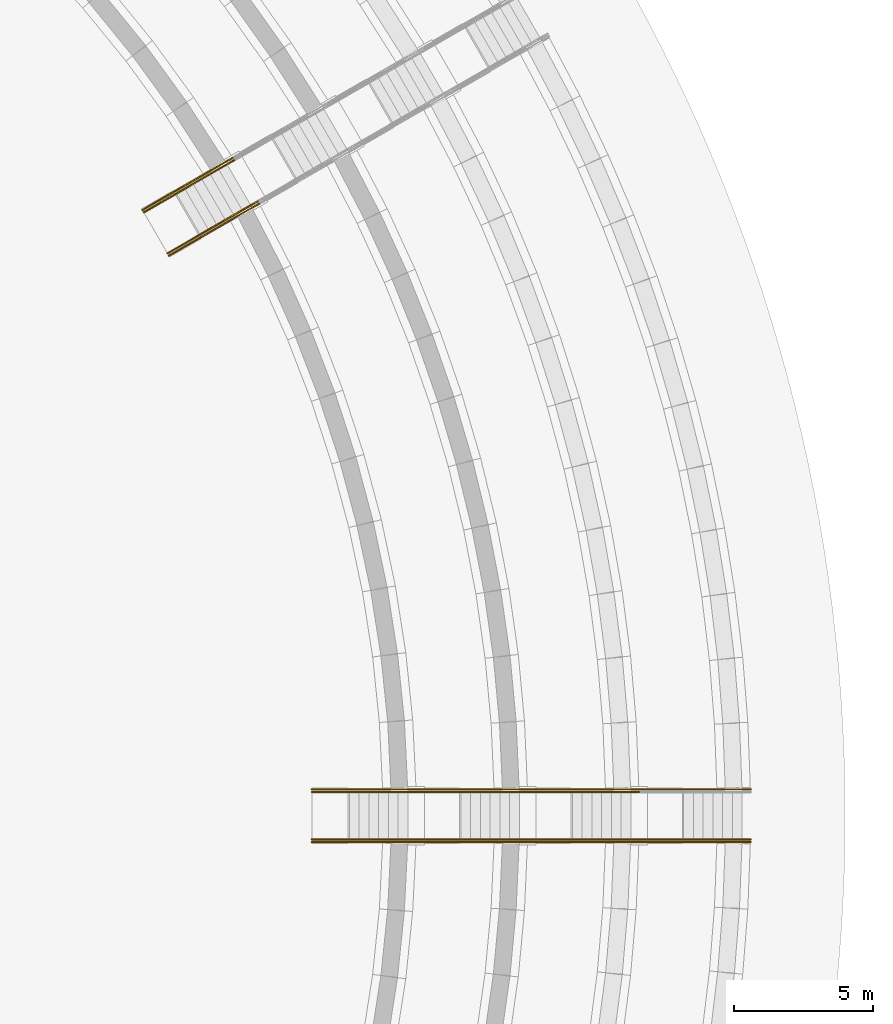
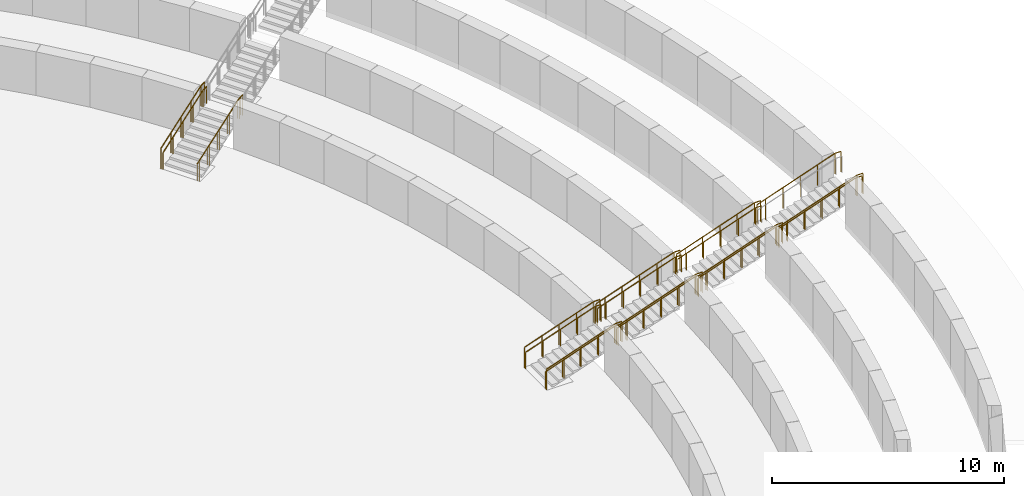
# One storey, part 70 of 73: 19 railings, 5 elements without a shape of their own.
"""IFC4 building model written with IfcOpenShell, lengths in metres."""

from ifc_helpers import new_model, si_unit, direction, frame, origin, origin_2d, place, context, subcontext, project, spatial, circle, extrude, material, type_object, element, aggregate, save


model = new_model("IFC4")

# Units and contexts
model_context = context("Model", 3, precision=1e-05, world=origin(), true_north=direction((0.0, 1.0)))
body_context = subcontext(model_context, "Body", "Model", "MODEL_VIEW")
ifc_project = project(units=[si_unit("LENGTHUNIT", "METRE"), si_unit("AREAUNIT", "SQUARE_METRE"), si_unit("VOLUMEUNIT", "CUBIC_METRE"), si_unit("PLANEANGLEUNIT", "RADIAN"), si_unit("MASSUNIT", "GRAM", prefix="KILO")], contexts=[model_context])

# Site, building, storey
site_placement = place(None, origin())
site = spatial("IfcSite", under=ifc_project, at=site_placement, CompositionType="ELEMENT")
building_placement = place(site_placement, origin())
building = spatial("IfcBuilding", under=site, at=building_placement, Name="Alderwick Market Hall", CompositionType="ELEMENT")
storey_placement = place(building_placement, origin())
storey = spatial("IfcBuildingStorey", under=building, at=storey_placement, Name="LG", CompositionType="ELEMENT", Elevation=0.0)

# Stair, railings
ifc_material_1 = material(Name="Concrete 5000 psi (f'c 35 MPa)", Category="concrete")
stair_type = type_object("IfcStairType", Name="S Garden Stair", PredefinedType="STRAIGHT_RUN_STAIR", material=ifc_material_1)
stair_1_placement = place(storey_placement, origin())
stair_1 = element("IfcStair", 1, at=stair_1_placement, inside=storey, type_object=stair_type, Name="Terrace stair 1.2", PredefinedType="STRAIGHT_RUN_STAIR")
ifc_material_2 = material(Name="Steel ASTM A500 Grade C", Category="steel")
railing_type_1 = type_object("IfcRailingType", Name="S Guard 1100", PredefinedType="GUARDRAIL", material=ifc_material_2)
railing_1_placement = place(storey_placement, frame((193.948486328125, 80.14990234375, 0.0)))
railing_1 = element("IfcRailing", 2, at=railing_1_placement, type_object=railing_type_1, Name="Stair 1.2 guard L", PredefinedType="GUARDRAIL", context=body_context, shape_type="SweptSolid", body=[
    extrude(circle(Radius=0.02490234375, at=origin_2d()), frame((0.0, 0.0, 1.0751953125), z_axis=(0.944499501787, 0.0, 0.328512847731), x_axis=(0.0, 1.0, 0.0)), (0.0, 0.0, 1.0), 3.652587890625),
    extrude(circle(Radius=0.02490234375, at=origin_2d()), frame((3.449951171875, 0.0, 2.27490234375), z_axis=(1.0, 0.0, 0.0), x_axis=(0.0, 1.0, 0.0)), (0.0, 0.0, 1.0), 0.300048828125),
    extrude(circle(Radius=0.02001953125, at=origin_2d()), origin(), (0.0, 0.0, 1.0), 1.050048828125),
    extrude(circle(Radius=0.02001953125, at=origin_2d()), frame((0.862548828125, 0.0, 0.300048828125)), (0.0, 0.0, 1.0), 1.050048828125),
    extrude(circle(Radius=0.02001953125, at=origin_2d()), frame((1.72509765625, 0.0, 0.60009765625)), (0.0, 0.0, 1.0), 1.050048828125),
    extrude(circle(Radius=0.02001953125, at=origin_2d()), frame((2.58740234375, 0.0, 0.89990234375)), (0.0, 0.0, 1.0), 1.050048828125),
    extrude(circle(Radius=0.02001953125, at=origin_2d()), frame((3.449951171875, 0.0, 1.199951171875)), (0.0, 0.0, 1.0), 1.050048828125),
    extrude(circle(Radius=0.02001953125, at=origin_2d()), frame((3.75, 0.0, 1.199951171875)), (0.0, 0.0, 1.0), 1.050048828125),
])
railing_2_placement = place(storey_placement, frame((193.948486328125, 78.25, 0.0)))
railing_2 = element("IfcRailing", 3, at=railing_2_placement, type_object=railing_type_1, Name="Stair 1.2 guard R", PredefinedType="GUARDRAIL", context=body_context, shape_type="SweptSolid", body=[
    extrude(circle(Radius=0.02490234375, at=origin_2d()), frame((0.0, 0.0, 1.0751953125), z_axis=(0.944499501787, 0.0, 0.328512847731), x_axis=(0.0, 1.0, 0.0)), (0.0, 0.0, 1.0), 3.652587890625),
    extrude(circle(Radius=0.02490234375, at=origin_2d()), frame((3.449951171875, 0.0, 2.27490234375), z_axis=(1.0, 0.0, 0.0), x_axis=(0.0, 1.0, 0.0)), (0.0, 0.0, 1.0), 0.300048828125),
    extrude(circle(Radius=0.02001953125, at=origin_2d()), origin(), (0.0, 0.0, 1.0), 1.050048828125),
    extrude(circle(Radius=0.02001953125, at=origin_2d()), frame((0.862548828125, 0.0, 0.300048828125)), (0.0, 0.0, 1.0), 1.050048828125),
    extrude(circle(Radius=0.02001953125, at=origin_2d()), frame((1.72509765625, 0.0, 0.60009765625)), (0.0, 0.0, 1.0), 1.050048828125),
    extrude(circle(Radius=0.02001953125, at=origin_2d()), frame((2.58740234375, 0.0, 0.89990234375)), (0.0, 0.0, 1.0), 1.050048828125),
    extrude(circle(Radius=0.02001953125, at=origin_2d()), frame((3.449951171875, 0.0, 1.199951171875)), (0.0, 0.0, 1.0), 1.050048828125),
    extrude(circle(Radius=0.02001953125, at=origin_2d()), frame((3.75, 0.0, 1.199951171875)), (0.0, 0.0, 1.0), 1.050048828125),
])

stair_2_placement = place(storey_placement, origin())
stair_2 = element("IfcStair", 4, at=stair_2_placement, inside=storey, type_object=stair_type, Name="Terrace stair 1.3", PredefinedType="STRAIGHT_RUN_STAIR")
railing_3_placement = place(storey_placement, frame((187.866943359375, 100.947021484375, 0.0)))
railing_3 = element("IfcRailing", 5, at=railing_3_placement, type_object=railing_type_1, Name="Stair 1.3 guard L", PredefinedType="GUARDRAIL", context=body_context, shape_type="SweptSolid", body=[
    extrude(circle(Radius=0.02490234375, at=origin_2d()), frame((0.0, 0.0, 1.0751953125), z_axis=(0.817951966849, 0.4722706813, 0.328504160571), x_axis=(-0.500020560727, 0.866013532718, 0.0)), (0.0, 0.0, 1.0), 3.65283203125),
    extrude(circle(Radius=0.02490234375, at=origin_2d()), frame((2.98779296875, 1.72509765625, 2.27490234375), z_axis=(0.866131372301, 0.499816412211, 0.0), x_axis=(-0.499816412211, 0.866131372301, 0.0)), (0.0, 0.0, 1.0), 0.2998046875),
    extrude(circle(Radius=0.02001953125, at=origin_2d()), origin(), (0.0, 0.0, 1.0), 1.050048828125),
    extrude(circle(Radius=0.02001953125, at=origin_2d()), frame((0.7470703125, 0.43115234375, 0.300048828125)), (0.0, 0.0, 1.0), 1.050048828125),
    extrude(circle(Radius=0.02001953125, at=origin_2d()), frame((1.493896484375, 0.862548828125, 0.60009765625)), (0.0, 0.0, 1.0), 1.050048828125),
    extrude(circle(Radius=0.02001953125, at=origin_2d()), frame((2.24072265625, 1.2939453125, 0.89990234375)), (0.0, 0.0, 1.0), 1.050048828125),
    extrude(circle(Radius=0.02001953125, at=origin_2d()), frame((2.98779296875, 1.72509765625, 1.199951171875)), (0.0, 0.0, 1.0), 1.050048828125),
    extrude(circle(Radius=0.02001953125, at=origin_2d()), frame((3.24755859375, 1.875, 1.199951171875)), (0.0, 0.0, 1.0), 1.050048828125),
])
railing_4_placement = place(storey_placement, frame((188.81689453125, 99.301513671875, 0.0)))
railing_4 = element("IfcRailing", 6, at=railing_4_placement, type_object=railing_type_1, Name="Stair 1.3 guard R", PredefinedType="GUARDRAIL", context=body_context, shape_type="SweptSolid", body=[
    extrude(circle(Radius=0.02490234375, at=origin_2d()), frame((0.0, 0.0, 1.0751953125), z_axis=(0.817951966849, 0.4722706813, 0.328504160571), x_axis=(-0.500020560727, 0.866013532718, 0.0)), (0.0, 0.0, 1.0), 3.65283203125),
    extrude(circle(Radius=0.02490234375, at=origin_2d()), frame((2.98779296875, 1.72509765625, 2.27490234375), z_axis=(0.866131372301, 0.499816412211, 0.0), x_axis=(-0.499816412211, 0.866131372301, 0.0)), (0.0, 0.0, 1.0), 0.2998046875),
    extrude(circle(Radius=0.02001953125, at=origin_2d()), origin(), (0.0, 0.0, 1.0), 1.050048828125),
    extrude(circle(Radius=0.02001953125, at=origin_2d()), frame((0.7470703125, 0.43115234375, 0.300048828125)), (0.0, 0.0, 1.0), 1.050048828125),
    extrude(circle(Radius=0.02001953125, at=origin_2d()), frame((1.493896484375, 0.862548828125, 0.60009765625)), (0.0, 0.0, 1.0), 1.050048828125),
    extrude(circle(Radius=0.02001953125, at=origin_2d()), frame((2.24072265625, 1.2939453125, 0.89990234375)), (0.0, 0.0, 1.0), 1.050048828125),
    extrude(circle(Radius=0.02001953125, at=origin_2d()), frame((2.98779296875, 1.72509765625, 1.199951171875)), (0.0, 0.0, 1.0), 1.050048828125),
    extrude(circle(Radius=0.02001953125, at=origin_2d()), frame((3.24755859375, 1.875, 1.199951171875)), (0.0, 0.0, 1.0), 1.050048828125),
])

stair_3_placement = place(storey_placement, origin())
stair_3 = element("IfcStair", 7, at=stair_3_placement, inside=storey, type_object=stair_type, Name="Terrace stair 2.2", PredefinedType="STRAIGHT_RUN_STAIR")
railing_5_placement = place(storey_placement, frame((197.518310546875, 80.14990234375, 1.050048828125)))
railing_5 = element("IfcRailing", 8, at=railing_5_placement, type_object=railing_type_1, Name="Stair 2.2 guard L", PredefinedType="GUARDRAIL", context=body_context, shape_type="SweptSolid", body=[
    extrude(circle(Radius=0.02490234375, at=origin_2d()), frame((0.0, 0.0, 1.0751953125), z_axis=(0.944540081361, 0.0, 0.328396155128), x_axis=(0.0, 1.0, 0.0)), (0.0, 0.0, 1.0), 0.45654296875),
    extrude(circle(Radius=0.02490234375, at=origin_2d()), frame((0.43115234375, 0.0, 1.22509765625), z_axis=(0.944499501787, 0.0, 0.328512847731), x_axis=(0.0, 1.0, 0.0)), (0.0, 0.0, 1.0), 3.652587890625),
    extrude(circle(Radius=0.02490234375, at=origin_2d()), frame((3.881103515625, 0.0, 2.4248046875), z_axis=(1.0, 0.0, 0.0), x_axis=(0.0, 1.0, 0.0)), (0.0, 0.0, 1.0), 0.300048828125),
    extrude(circle(Radius=0.02001953125, at=origin_2d()), origin(), (0.0, 0.0, 1.0), 1.050048828125),
    extrude(circle(Radius=0.02001953125, at=origin_2d()), frame((0.43115234375, 0.0, 0.14990234375)), (0.0, 0.0, 1.0), 1.050048828125),
    extrude(circle(Radius=0.02001953125, at=origin_2d()), frame((1.293701171875, 0.0, 0.449951171875)), (0.0, 0.0, 1.0), 1.050048828125),
    extrude(circle(Radius=0.02001953125, at=origin_2d()), frame((2.15625, 0.0, 0.75)), (0.0, 0.0, 1.0), 1.050048828125),
    extrude(circle(Radius=0.02001953125, at=origin_2d()), frame((3.0185546875, 0.0, 1.0498046875)), (0.0, 0.0, 1.0), 1.050048828125),
    extrude(circle(Radius=0.02001953125, at=origin_2d()), frame((3.881103515625, 0.0, 1.349853515625)), (0.0, 0.0, 1.0), 1.050048828125),
    extrude(circle(Radius=0.02001953125, at=origin_2d()), frame((4.18115234375, 0.0, 1.349853515625)), (0.0, 0.0, 1.0), 1.050048828125),
])
railing_6_placement = place(storey_placement, frame((197.518310546875, 78.25, 1.050048828125)))
railing_6 = element("IfcRailing", 9, at=railing_6_placement, type_object=railing_type_1, Name="Stair 2.2 guard R", PredefinedType="GUARDRAIL", context=body_context, shape_type="SweptSolid", body=[
    extrude(circle(Radius=0.02490234375, at=origin_2d()), frame((0.0, 0.0, 1.0751953125), z_axis=(0.944540081361, 0.0, 0.328396155128), x_axis=(0.0, 1.0, 0.0)), (0.0, 0.0, 1.0), 0.45654296875),
    extrude(circle(Radius=0.02490234375, at=origin_2d()), frame((0.43115234375, 0.0, 1.22509765625), z_axis=(0.944499501787, 0.0, 0.328512847731), x_axis=(0.0, 1.0, 0.0)), (0.0, 0.0, 1.0), 3.652587890625),
    extrude(circle(Radius=0.02490234375, at=origin_2d()), frame((3.881103515625, 0.0, 2.4248046875), z_axis=(1.0, 0.0, 0.0), x_axis=(0.0, 1.0, 0.0)), (0.0, 0.0, 1.0), 0.300048828125),
    extrude(circle(Radius=0.02001953125, at=origin_2d()), origin(), (0.0, 0.0, 1.0), 1.050048828125),
    extrude(circle(Radius=0.02001953125, at=origin_2d()), frame((0.43115234375, 0.0, 0.14990234375)), (0.0, 0.0, 1.0), 1.050048828125),
    extrude(circle(Radius=0.02001953125, at=origin_2d()), frame((1.293701171875, 0.0, 0.449951171875)), (0.0, 0.0, 1.0), 1.050048828125),
    extrude(circle(Radius=0.02001953125, at=origin_2d()), frame((2.15625, 0.0, 0.75)), (0.0, 0.0, 1.0), 1.050048828125),
    extrude(circle(Radius=0.02001953125, at=origin_2d()), frame((3.0185546875, 0.0, 1.0498046875)), (0.0, 0.0, 1.0), 1.050048828125),
    extrude(circle(Radius=0.02001953125, at=origin_2d()), frame((3.881103515625, 0.0, 1.349853515625)), (0.0, 0.0, 1.0), 1.050048828125),
    extrude(circle(Radius=0.02001953125, at=origin_2d()), frame((4.18115234375, 0.0, 1.349853515625)), (0.0, 0.0, 1.0), 1.050048828125),
])

stair_4_placement = place(storey_placement, origin())
stair_4 = element("IfcStair", 10, at=stair_4_placement, inside=storey, type_object=stair_type, Name="Terrace stair 3.2", PredefinedType="STRAIGHT_RUN_STAIR")
railing_7_placement = place(storey_placement, frame((201.51904296875, 80.14990234375, 2.25)))
railing_7 = element("IfcRailing", 11, at=railing_7_placement, type_object=railing_type_1, Name="Stair 3.2 guard L", PredefinedType="GUARDRAIL", context=body_context, shape_type="SweptSolid", body=[
    extrude(circle(Radius=0.02490234375, at=origin_2d()), frame((0.0, 0.0, 1.0751953125), z_axis=(0.944540081361, 0.0, 0.328396155128), x_axis=(0.0, 1.0, 0.0)), (0.0, 0.0, 1.0), 0.45654296875),
    extrude(circle(Radius=0.02490234375, at=origin_2d()), frame((0.43115234375, 0.0, 1.22509765625), z_axis=(0.944485976663, 0.0, 0.328551730914), x_axis=(0.0, 1.0, 0.0)), (0.0, 0.0, 1.0), 3.653076171875),
    extrude(circle(Radius=0.02490234375, at=origin_2d()), frame((3.88134765625, 0.0, 2.42529296875), z_axis=(1.0, 0.0, 0.0), x_axis=(0.0, 1.0, 0.0)), (0.0, 0.0, 1.0), 0.2998046875),
    extrude(circle(Radius=0.02001953125, at=origin_2d()), origin(), (0.0, 0.0, 1.0), 1.050048828125),
    extrude(circle(Radius=0.02001953125, at=origin_2d()), frame((0.43115234375, 0.0, 0.14990234375)), (0.0, 0.0, 1.0), 1.050048828125),
    extrude(circle(Radius=0.02001953125, at=origin_2d()), frame((1.293701171875, 0.0, 0.449951171875)), (0.0, 0.0, 1.0), 1.050048828125),
    extrude(circle(Radius=0.02001953125, at=origin_2d()), frame((2.15625, 0.0, 0.75)), (0.0, 0.0, 1.0), 1.050048828125),
    extrude(circle(Radius=0.02001953125, at=origin_2d()), frame((3.018798828125, 0.0, 1.050048828125)), (0.0, 0.0, 1.0), 1.050048828125),
    extrude(circle(Radius=0.02001953125, at=origin_2d()), frame((3.88134765625, 0.0, 1.35009765625)), (0.0, 0.0, 1.0), 1.050048828125),
    extrude(circle(Radius=0.02001953125, at=origin_2d()), frame((4.18115234375, 0.0, 1.35009765625)), (0.0, 0.0, 1.0), 1.050048828125),
])
railing_8_placement = place(storey_placement, frame((201.51904296875, 78.25, 2.25)))
railing_8 = element("IfcRailing", 12, at=railing_8_placement, type_object=railing_type_1, Name="Stair 3.2 guard R", PredefinedType="GUARDRAIL", context=body_context, shape_type="SweptSolid", body=[
    extrude(circle(Radius=0.02490234375, at=origin_2d()), frame((0.0, 0.0, 1.0751953125), z_axis=(0.944540081361, 0.0, 0.328396155128), x_axis=(0.0, 1.0, 0.0)), (0.0, 0.0, 1.0), 0.45654296875),
    extrude(circle(Radius=0.02490234375, at=origin_2d()), frame((0.43115234375, 0.0, 1.22509765625), z_axis=(0.944485976663, 0.0, 0.328551730914), x_axis=(0.0, 1.0, 0.0)), (0.0, 0.0, 1.0), 3.653076171875),
    extrude(circle(Radius=0.02490234375, at=origin_2d()), frame((3.88134765625, 0.0, 2.42529296875), z_axis=(1.0, 0.0, 0.0), x_axis=(0.0, 1.0, 0.0)), (0.0, 0.0, 1.0), 0.2998046875),
    extrude(circle(Radius=0.02001953125, at=origin_2d()), origin(), (0.0, 0.0, 1.0), 1.050048828125),
    extrude(circle(Radius=0.02001953125, at=origin_2d()), frame((0.43115234375, 0.0, 0.14990234375)), (0.0, 0.0, 1.0), 1.050048828125),
    extrude(circle(Radius=0.02001953125, at=origin_2d()), frame((1.293701171875, 0.0, 0.449951171875)), (0.0, 0.0, 1.0), 1.050048828125),
    extrude(circle(Radius=0.02001953125, at=origin_2d()), frame((2.15625, 0.0, 0.75)), (0.0, 0.0, 1.0), 1.050048828125),
    extrude(circle(Radius=0.02001953125, at=origin_2d()), frame((3.018798828125, 0.0, 1.050048828125)), (0.0, 0.0, 1.0), 1.050048828125),
    extrude(circle(Radius=0.02001953125, at=origin_2d()), frame((3.88134765625, 0.0, 1.35009765625)), (0.0, 0.0, 1.0), 1.050048828125),
    extrude(circle(Radius=0.02001953125, at=origin_2d()), frame((4.18115234375, 0.0, 1.35009765625)), (0.0, 0.0, 1.0), 1.050048828125),
])

stair_5_placement = place(storey_placement, origin())
stair_5 = element("IfcStair", 13, at=stair_5_placement, inside=storey, type_object=stair_type, Name="Terrace stair 4.2", PredefinedType="STRAIGHT_RUN_STAIR")
railing_9_placement = place(storey_placement, frame((205.519775390625, 80.14990234375, 3.449951171875)))
railing_9 = element("IfcRailing", 14, at=railing_9_placement, type_object=railing_type_1, Name="Stair 4.2 guard L", PredefinedType="GUARDRAIL", context=body_context, shape_type="SweptSolid", body=[
    extrude(circle(Radius=0.02490234375, at=origin_2d()), frame((0.0, 0.0, 1.0751953125), z_axis=(0.944374089357, 0.0, 0.328873196463), x_axis=(0.0, 1.0, 0.0)), (0.0, 0.0, 1.0), 0.45654296875),
    extrude(circle(Radius=0.02490234375, at=origin_2d()), frame((0.43115234375, 0.0, 1.22509765625), z_axis=(0.944499501787, 0.0, 0.328512847731), x_axis=(0.0, 1.0, 0.0)), (0.0, 0.0, 1.0), 3.652587890625),
    extrude(circle(Radius=0.02490234375, at=origin_2d()), frame((3.881103515625, 0.0, 2.42529296875), z_axis=(1.0, 0.0, 0.0), x_axis=(0.0, 1.0, 0.0)), (0.0, 0.0, 1.0), 0.300048828125),
    extrude(circle(Radius=0.02001953125, at=origin_2d()), origin(), (0.0, 0.0, 1.0), 1.050048828125),
    extrude(circle(Radius=0.02001953125, at=origin_2d()), frame((0.43115234375, 0.0, 0.150146484375)), (0.0, 0.0, 1.0), 1.050048828125),
    extrude(circle(Radius=0.02001953125, at=origin_2d()), frame((1.293701171875, 0.0, 0.4501953125)), (0.0, 0.0, 1.0), 1.050048828125),
    extrude(circle(Radius=0.02001953125, at=origin_2d()), frame((2.15625, 0.0, 0.75)), (0.0, 0.0, 1.0), 1.050048828125),
    extrude(circle(Radius=0.02001953125, at=origin_2d()), frame((3.0185546875, 0.0, 1.050048828125)), (0.0, 0.0, 1.0), 1.050048828125),
    extrude(circle(Radius=0.02001953125, at=origin_2d()), frame((3.881103515625, 0.0, 1.35009765625)), (0.0, 0.0, 1.0), 1.050048828125),
    extrude(circle(Radius=0.02001953125, at=origin_2d()), frame((4.18115234375, 0.0, 1.35009765625)), (0.0, 0.0, 1.0), 1.050048828125),
])
railing_10_placement = place(storey_placement, frame((205.519775390625, 78.25, 3.449951171875)))
railing_10 = element("IfcRailing", 15, at=railing_10_placement, type_object=railing_type_1, Name="Stair 4.2 guard R", PredefinedType="GUARDRAIL", context=body_context, shape_type="SweptSolid", body=[
    extrude(circle(Radius=0.02490234375, at=origin_2d()), frame((0.0, 0.0, 1.0751953125), z_axis=(0.944374089357, 0.0, 0.328873196463), x_axis=(0.0, 1.0, 0.0)), (0.0, 0.0, 1.0), 0.45654296875),
    extrude(circle(Radius=0.02490234375, at=origin_2d()), frame((0.43115234375, 0.0, 1.22509765625), z_axis=(0.944499501787, 0.0, 0.328512847731), x_axis=(0.0, 1.0, 0.0)), (0.0, 0.0, 1.0), 3.652587890625),
    extrude(circle(Radius=0.02490234375, at=origin_2d()), frame((3.881103515625, 0.0, 2.42529296875), z_axis=(1.0, 0.0, 0.0), x_axis=(0.0, 1.0, 0.0)), (0.0, 0.0, 1.0), 0.300048828125),
    extrude(circle(Radius=0.02001953125, at=origin_2d()), origin(), (0.0, 0.0, 1.0), 1.050048828125),
    extrude(circle(Radius=0.02001953125, at=origin_2d()), frame((0.43115234375, 0.0, 0.150146484375)), (0.0, 0.0, 1.0), 1.050048828125),
    extrude(circle(Radius=0.02001953125, at=origin_2d()), frame((1.293701171875, 0.0, 0.4501953125)), (0.0, 0.0, 1.0), 1.050048828125),
    extrude(circle(Radius=0.02001953125, at=origin_2d()), frame((2.15625, 0.0, 0.75)), (0.0, 0.0, 1.0), 1.050048828125),
    extrude(circle(Radius=0.02001953125, at=origin_2d()), frame((3.0185546875, 0.0, 1.050048828125)), (0.0, 0.0, 1.0), 1.050048828125),
    extrude(circle(Radius=0.02001953125, at=origin_2d()), frame((3.881103515625, 0.0, 1.35009765625)), (0.0, 0.0, 1.0), 1.050048828125),
    extrude(circle(Radius=0.02001953125, at=origin_2d()), frame((4.18115234375, 0.0, 1.35009765625)), (0.0, 0.0, 1.0), 1.050048828125),
])

# Railing
railing_type_2 = type_object("IfcRailingType", Name="S Handrail 900", PredefinedType="HANDRAIL", material=ifc_material_2)
railing_11_placement = place(storey_placement, frame((193.948486328125, 80.050048828125, 0.0)))
railing_11 = element("IfcRailing", 16, at=railing_11_placement, type_object=railing_type_2, Name="Stair 1.2 handrail L", PredefinedType="HANDRAIL", context=body_context, shape_type="SweptSolid", body=[
    extrude(circle(Radius=0.02490234375, at=origin_2d()), frame((0.0, 0.0, 0.875), z_axis=(0.944499501787, 0.0, 0.328512847731), x_axis=(0.0, 1.0, 0.0)), (0.0, 0.0, 1.0), 3.652587890625),
    extrude(circle(Radius=0.02490234375, at=origin_2d()), frame((3.449951171875, 0.0, 2.07470703125), z_axis=(1.0, 0.0, 0.0), x_axis=(0.0, 1.0, 0.0)), (0.0, 0.0, 1.0), 0.300048828125),
    extrude(circle(Radius=0.02001953125, at=origin_2d()), origin(), (0.0, 0.0, 1.0), 0.849853515625),
    extrude(circle(Radius=0.02001953125, at=origin_2d()), frame((0.862548828125, 0.0, 0.300048828125)), (0.0, 0.0, 1.0), 0.849853515625),
    extrude(circle(Radius=0.02001953125, at=origin_2d()), frame((1.72509765625, 0.0, 0.60009765625)), (0.0, 0.0, 1.0), 0.849853515625),
    extrude(circle(Radius=0.02001953125, at=origin_2d()), frame((2.58740234375, 0.0, 0.89990234375)), (0.0, 0.0, 1.0), 0.849853515625),
    extrude(circle(Radius=0.02001953125, at=origin_2d()), frame((3.449951171875, 0.0, 1.199951171875)), (0.0, 0.0, 1.0), 0.849853515625),
    extrude(circle(Radius=0.02001953125, at=origin_2d()), frame((3.75, 0.0, 1.199951171875)), (0.0, 0.0, 1.0), 0.849853515625),
])

railing_12_placement = place(storey_placement, frame((193.948486328125, 78.35009765625, 0.0)))
railing_12 = element("IfcRailing", 17, at=railing_12_placement, type_object=railing_type_2, Name="Stair 1.2 handrail R", PredefinedType="HANDRAIL", context=body_context, shape_type="SweptSolid", body=[
    extrude(circle(Radius=0.02490234375, at=origin_2d()), frame((0.0, 0.0, 0.875), z_axis=(0.944499501787, 0.0, 0.328512847731), x_axis=(0.0, 1.0, 0.0)), (0.0, 0.0, 1.0), 3.652587890625),
    extrude(circle(Radius=0.02490234375, at=origin_2d()), frame((3.449951171875, 0.0, 2.07470703125), z_axis=(1.0, 0.0, 0.0), x_axis=(0.0, 1.0, 0.0)), (0.0, 0.0, 1.0), 0.300048828125),
    extrude(circle(Radius=0.02001953125, at=origin_2d()), origin(), (0.0, 0.0, 1.0), 0.849853515625),
    extrude(circle(Radius=0.02001953125, at=origin_2d()), frame((0.862548828125, 0.0, 0.300048828125)), (0.0, 0.0, 1.0), 0.849853515625),
    extrude(circle(Radius=0.02001953125, at=origin_2d()), frame((1.72509765625, 0.0, 0.60009765625)), (0.0, 0.0, 1.0), 0.849853515625),
    extrude(circle(Radius=0.02001953125, at=origin_2d()), frame((2.58740234375, 0.0, 0.89990234375)), (0.0, 0.0, 1.0), 0.849853515625),
    extrude(circle(Radius=0.02001953125, at=origin_2d()), frame((3.449951171875, 0.0, 1.199951171875)), (0.0, 0.0, 1.0), 0.849853515625),
    extrude(circle(Radius=0.02001953125, at=origin_2d()), frame((3.75, 0.0, 1.199951171875)), (0.0, 0.0, 1.0), 0.849853515625),
])

aggregate(stair_1, [railing_1, railing_11, railing_2, railing_12])

railing_13_placement = place(storey_placement, frame((187.9169921875, 100.8603515625, 0.0)))
railing_13 = element("IfcRailing", 18, at=railing_13_placement, type_object=railing_type_2, Name="Stair 1.3 handrail L", PredefinedType="HANDRAIL", context=body_context, shape_type="SweptSolid", body=[
    extrude(circle(Radius=0.02490234375, at=origin_2d()), frame((0.0, 0.0, 0.875), z_axis=(0.817951966849, 0.4722706813, 0.328504160571), x_axis=(-0.500020560727, 0.866013532718, 0.0)), (0.0, 0.0, 1.0), 3.65283203125),
    extrude(circle(Radius=0.02490234375, at=origin_2d()), frame((2.98779296875, 1.72509765625, 2.07470703125), z_axis=(0.866131372301, 0.499816412211, 0.0), x_axis=(-0.499816412211, 0.866131372301, 0.0)), (0.0, 0.0, 1.0), 0.2998046875),
    extrude(circle(Radius=0.02001953125, at=origin_2d()), origin(), (0.0, 0.0, 1.0), 0.849853515625),
    extrude(circle(Radius=0.02001953125, at=origin_2d()), frame((0.7470703125, 0.43115234375, 0.300048828125)), (0.0, 0.0, 1.0), 0.849853515625),
    extrude(circle(Radius=0.02001953125, at=origin_2d()), frame((1.493896484375, 0.862548828125, 0.60009765625)), (0.0, 0.0, 1.0), 0.849853515625),
    extrude(circle(Radius=0.02001953125, at=origin_2d()), frame((2.24072265625, 1.2939453125, 0.89990234375)), (0.0, 0.0, 1.0), 0.849853515625),
    extrude(circle(Radius=0.02001953125, at=origin_2d()), frame((2.98779296875, 1.72509765625, 1.199951171875)), (0.0, 0.0, 1.0), 0.849853515625),
    extrude(circle(Radius=0.02001953125, at=origin_2d()), frame((3.24755859375, 1.875, 1.199951171875)), (0.0, 0.0, 1.0), 0.849853515625),
])

railing_14_placement = place(storey_placement, frame((188.766845703125, 99.38818359375, 0.0)))
railing_14 = element("IfcRailing", 19, at=railing_14_placement, type_object=railing_type_2, Name="Stair 1.3 handrail R", PredefinedType="HANDRAIL", context=body_context, shape_type="SweptSolid", body=[
    extrude(circle(Radius=0.02490234375, at=origin_2d()), frame((0.0, 0.0, 0.875), z_axis=(0.817977785049, 0.472218749091, 0.328514529622), x_axis=(-0.499967486139, 0.866044174857, 0.0)), (0.0, 0.0, 1.0), 3.652587890625),
    extrude(circle(Radius=0.02490234375, at=origin_2d()), frame((2.98779296875, 1.724853515625, 2.07470703125), z_axis=(0.865778900179, 0.500426713919, 0.0), x_axis=(-0.500426713919, 0.865778900179, 0.0)), (0.0, 0.0, 1.0), 0.300048828125),
    extrude(circle(Radius=0.02001953125, at=origin_2d()), origin(), (0.0, 0.0, 1.0), 0.849853515625),
    extrude(circle(Radius=0.02001953125, at=origin_2d()), frame((0.7470703125, 0.43115234375, 0.300048828125)), (0.0, 0.0, 1.0), 0.849853515625),
    extrude(circle(Radius=0.02001953125, at=origin_2d()), frame((1.493896484375, 0.8623046875, 0.60009765625)), (0.0, 0.0, 1.0), 0.849853515625),
    extrude(circle(Radius=0.02001953125, at=origin_2d()), frame((2.24072265625, 1.293701171875, 0.89990234375)), (0.0, 0.0, 1.0), 0.849853515625),
    extrude(circle(Radius=0.02001953125, at=origin_2d()), frame((2.98779296875, 1.724853515625, 1.199951171875)), (0.0, 0.0, 1.0), 0.849853515625),
    extrude(circle(Radius=0.02001953125, at=origin_2d()), frame((3.24755859375, 1.875, 1.199951171875)), (0.0, 0.0, 1.0), 0.849853515625),
])

aggregate(stair_2, [railing_3, railing_13, railing_4, railing_14])

railing_15_placement = place(storey_placement, frame((197.518310546875, 80.050048828125, 1.050048828125)))
railing_15 = element("IfcRailing", 20, at=railing_15_placement, type_object=railing_type_2, Name="Stair 2.2 handrail L", PredefinedType="HANDRAIL", context=body_context, shape_type="SweptSolid", body=[
    extrude(circle(Radius=0.02490234375, at=origin_2d()), frame((0.0, 0.0, 0.875), z_axis=(0.944540081361, 0.0, 0.328396155128), x_axis=(0.0, 1.0, 0.0)), (0.0, 0.0, 1.0), 0.45654296875),
    extrude(circle(Radius=0.02490234375, at=origin_2d()), frame((0.43115234375, 0.0, 1.02490234375), z_axis=(0.944499501787, 0.0, 0.328512847731), x_axis=(0.0, 1.0, 0.0)), (0.0, 0.0, 1.0), 3.652587890625),
    extrude(circle(Radius=0.02490234375, at=origin_2d()), frame((3.881103515625, 0.0, 2.224609375), z_axis=(1.0, 0.0, 0.0), x_axis=(0.0, 1.0, 0.0)), (0.0, 0.0, 1.0), 0.300048828125),
    extrude(circle(Radius=0.02001953125, at=origin_2d()), origin(), (0.0, 0.0, 1.0), 0.849853515625),
    extrude(circle(Radius=0.02001953125, at=origin_2d()), frame((0.43115234375, 0.0, 0.14990234375)), (0.0, 0.0, 1.0), 0.849853515625),
    extrude(circle(Radius=0.02001953125, at=origin_2d()), frame((1.293701171875, 0.0, 0.449951171875)), (0.0, 0.0, 1.0), 0.849853515625),
    extrude(circle(Radius=0.02001953125, at=origin_2d()), frame((2.15625, 0.0, 0.75)), (0.0, 0.0, 1.0), 0.849853515625),
    extrude(circle(Radius=0.02001953125, at=origin_2d()), frame((3.0185546875, 0.0, 1.0498046875)), (0.0, 0.0, 1.0), 0.849853515625),
    extrude(circle(Radius=0.02001953125, at=origin_2d()), frame((3.881103515625, 0.0, 1.349853515625)), (0.0, 0.0, 1.0), 0.849853515625),
    extrude(circle(Radius=0.02001953125, at=origin_2d()), frame((4.18115234375, 0.0, 1.349853515625)), (0.0, 0.0, 1.0), 0.849853515625),
])

railing_16_placement = place(storey_placement, frame((197.518310546875, 78.35009765625, 1.050048828125)))
railing_16 = element("IfcRailing", 21, at=railing_16_placement, type_object=railing_type_2, Name="Stair 2.2 handrail R", PredefinedType="HANDRAIL", context=body_context, shape_type="SweptSolid", body=[
    extrude(circle(Radius=0.02490234375, at=origin_2d()), frame((0.0, 0.0, 0.875), z_axis=(0.944540081361, 0.0, 0.328396155128), x_axis=(0.0, 1.0, 0.0)), (0.0, 0.0, 1.0), 0.45654296875),
    extrude(circle(Radius=0.02490234375, at=origin_2d()), frame((0.43115234375, 0.0, 1.02490234375), z_axis=(0.944499501787, 0.0, 0.328512847731), x_axis=(0.0, 1.0, 0.0)), (0.0, 0.0, 1.0), 3.652587890625),
    extrude(circle(Radius=0.02490234375, at=origin_2d()), frame((3.881103515625, 0.0, 2.224609375), z_axis=(1.0, 0.0, 0.0), x_axis=(0.0, 1.0, 0.0)), (0.0, 0.0, 1.0), 0.300048828125),
    extrude(circle(Radius=0.02001953125, at=origin_2d()), origin(), (0.0, 0.0, 1.0), 0.849853515625),
    extrude(circle(Radius=0.02001953125, at=origin_2d()), frame((0.43115234375, 0.0, 0.14990234375)), (0.0, 0.0, 1.0), 0.849853515625),
    extrude(circle(Radius=0.02001953125, at=origin_2d()), frame((1.293701171875, 0.0, 0.449951171875)), (0.0, 0.0, 1.0), 0.849853515625),
    extrude(circle(Radius=0.02001953125, at=origin_2d()), frame((2.15625, 0.0, 0.75)), (0.0, 0.0, 1.0), 0.849853515625),
    extrude(circle(Radius=0.02001953125, at=origin_2d()), frame((3.0185546875, 0.0, 1.0498046875)), (0.0, 0.0, 1.0), 0.849853515625),
    extrude(circle(Radius=0.02001953125, at=origin_2d()), frame((3.881103515625, 0.0, 1.349853515625)), (0.0, 0.0, 1.0), 0.849853515625),
    extrude(circle(Radius=0.02001953125, at=origin_2d()), frame((4.18115234375, 0.0, 1.349853515625)), (0.0, 0.0, 1.0), 0.849853515625),
])

aggregate(stair_3, [railing_5, railing_15, railing_6, railing_16])

railing_17_placement = place(storey_placement, frame((201.51904296875, 80.050048828125, 2.25)))
railing_17 = element("IfcRailing", 22, at=railing_17_placement, type_object=railing_type_2, Name="Stair 3.2 handrail L", PredefinedType="HANDRAIL", context=body_context, shape_type="SweptSolid", body=[
    extrude(circle(Radius=0.02490234375, at=origin_2d()), frame((0.0, 0.0, 0.875), z_axis=(0.944540081361, 0.0, 0.328396155128), x_axis=(0.0, 1.0, 0.0)), (0.0, 0.0, 1.0), 0.45654296875),
    extrude(circle(Radius=0.02490234375, at=origin_2d()), frame((0.43115234375, 0.0, 1.02490234375), z_axis=(0.944485976663, 0.0, 0.328551730914), x_axis=(0.0, 1.0, 0.0)), (0.0, 0.0, 1.0), 3.653076171875),
    extrude(circle(Radius=0.02490234375, at=origin_2d()), frame((3.88134765625, 0.0, 2.22509765625), z_axis=(1.0, 0.0, 0.0), x_axis=(0.0, 1.0, 0.0)), (0.0, 0.0, 1.0), 0.2998046875),
    extrude(circle(Radius=0.02001953125, at=origin_2d()), origin(), (0.0, 0.0, 1.0), 0.849853515625),
    extrude(circle(Radius=0.02001953125, at=origin_2d()), frame((0.43115234375, 0.0, 0.14990234375)), (0.0, 0.0, 1.0), 0.849853515625),
    extrude(circle(Radius=0.02001953125, at=origin_2d()), frame((1.293701171875, 0.0, 0.449951171875)), (0.0, 0.0, 1.0), 0.849853515625),
    extrude(circle(Radius=0.02001953125, at=origin_2d()), frame((2.15625, 0.0, 0.75)), (0.0, 0.0, 1.0), 0.849853515625),
    extrude(circle(Radius=0.02001953125, at=origin_2d()), frame((3.018798828125, 0.0, 1.050048828125)), (0.0, 0.0, 1.0), 0.849853515625),
    extrude(circle(Radius=0.02001953125, at=origin_2d()), frame((3.88134765625, 0.0, 1.35009765625)), (0.0, 0.0, 1.0), 0.849853515625),
    extrude(circle(Radius=0.02001953125, at=origin_2d()), frame((4.18115234375, 0.0, 1.35009765625)), (0.0, 0.0, 1.0), 0.849853515625),
])

railing_18_placement = place(storey_placement, frame((201.51904296875, 78.35009765625, 2.25)))
railing_18 = element("IfcRailing", 23, at=railing_18_placement, type_object=railing_type_2, Name="Stair 3.2 handrail R", PredefinedType="HANDRAIL", context=body_context, shape_type="SweptSolid", body=[
    extrude(circle(Radius=0.02490234375, at=origin_2d()), frame((0.0, 0.0, 0.875), z_axis=(0.944540081361, 0.0, 0.328396155128), x_axis=(0.0, 1.0, 0.0)), (0.0, 0.0, 1.0), 0.45654296875),
    extrude(circle(Radius=0.02490234375, at=origin_2d()), frame((0.43115234375, 0.0, 1.02490234375), z_axis=(0.944485976663, 0.0, 0.328551730914), x_axis=(0.0, 1.0, 0.0)), (0.0, 0.0, 1.0), 3.653076171875),
    extrude(circle(Radius=0.02490234375, at=origin_2d()), frame((3.88134765625, 0.0, 2.22509765625), z_axis=(1.0, 0.0, 0.0), x_axis=(0.0, 1.0, 0.0)), (0.0, 0.0, 1.0), 0.2998046875),
    extrude(circle(Radius=0.02001953125, at=origin_2d()), origin(), (0.0, 0.0, 1.0), 0.849853515625),
    extrude(circle(Radius=0.02001953125, at=origin_2d()), frame((0.43115234375, 0.0, 0.14990234375)), (0.0, 0.0, 1.0), 0.849853515625),
    extrude(circle(Radius=0.02001953125, at=origin_2d()), frame((1.293701171875, 0.0, 0.449951171875)), (0.0, 0.0, 1.0), 0.849853515625),
    extrude(circle(Radius=0.02001953125, at=origin_2d()), frame((2.15625, 0.0, 0.75)), (0.0, 0.0, 1.0), 0.849853515625),
    extrude(circle(Radius=0.02001953125, at=origin_2d()), frame((3.018798828125, 0.0, 1.050048828125)), (0.0, 0.0, 1.0), 0.849853515625),
    extrude(circle(Radius=0.02001953125, at=origin_2d()), frame((3.88134765625, 0.0, 1.35009765625)), (0.0, 0.0, 1.0), 0.849853515625),
    extrude(circle(Radius=0.02001953125, at=origin_2d()), frame((4.18115234375, 0.0, 1.35009765625)), (0.0, 0.0, 1.0), 0.849853515625),
])

aggregate(stair_4, [railing_7, railing_17, railing_8, railing_18])

railing_19_placement = place(storey_placement, frame((205.519775390625, 78.35009765625, 3.449951171875)))
railing_19 = element("IfcRailing", 24, at=railing_19_placement, type_object=railing_type_2, Name="Stair 4.2 handrail R", PredefinedType="HANDRAIL", context=body_context, shape_type="SweptSolid", body=[
    extrude(circle(Radius=0.02490234375, at=origin_2d()), frame((0.0, 0.0, 0.875), z_axis=(0.944374089357, 0.0, 0.328873196463), x_axis=(0.0, 1.0, 0.0)), (0.0, 0.0, 1.0), 0.45654296875),
    extrude(circle(Radius=0.02490234375, at=origin_2d()), frame((0.43115234375, 0.0, 1.02490234375), z_axis=(0.944499501787, 0.0, 0.328512847731), x_axis=(0.0, 1.0, 0.0)), (0.0, 0.0, 1.0), 3.652587890625),
    extrude(circle(Radius=0.02490234375, at=origin_2d()), frame((3.881103515625, 0.0, 2.22509765625), z_axis=(1.0, 0.0, 0.0), x_axis=(0.0, 1.0, 0.0)), (0.0, 0.0, 1.0), 0.300048828125),
    extrude(circle(Radius=0.02001953125, at=origin_2d()), origin(), (0.0, 0.0, 1.0), 0.849853515625),
    extrude(circle(Radius=0.02001953125, at=origin_2d()), frame((0.43115234375, 0.0, 0.150146484375)), (0.0, 0.0, 1.0), 0.849853515625),
    extrude(circle(Radius=0.02001953125, at=origin_2d()), frame((1.293701171875, 0.0, 0.4501953125)), (0.0, 0.0, 1.0), 0.849853515625),
    extrude(circle(Radius=0.02001953125, at=origin_2d()), frame((2.15625, 0.0, 0.75)), (0.0, 0.0, 1.0), 0.849853515625),
    extrude(circle(Radius=0.02001953125, at=origin_2d()), frame((3.0185546875, 0.0, 1.050048828125)), (0.0, 0.0, 1.0), 0.849853515625),
    extrude(circle(Radius=0.02001953125, at=origin_2d()), frame((3.881103515625, 0.0, 1.35009765625)), (0.0, 0.0, 1.0), 0.849853515625),
    extrude(circle(Radius=0.02001953125, at=origin_2d()), frame((4.18115234375, 0.0, 1.35009765625)), (0.0, 0.0, 1.0), 0.849853515625),
])

aggregate(stair_5, [railing_9, railing_10, railing_19])

save(model, "model.ifc")
